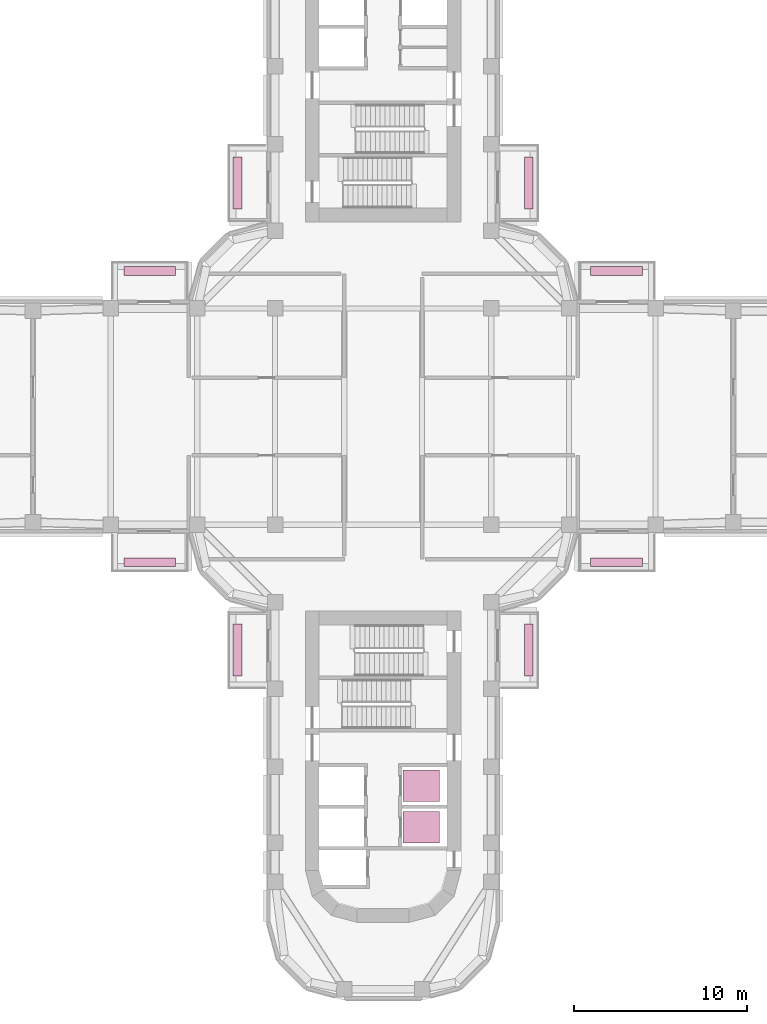
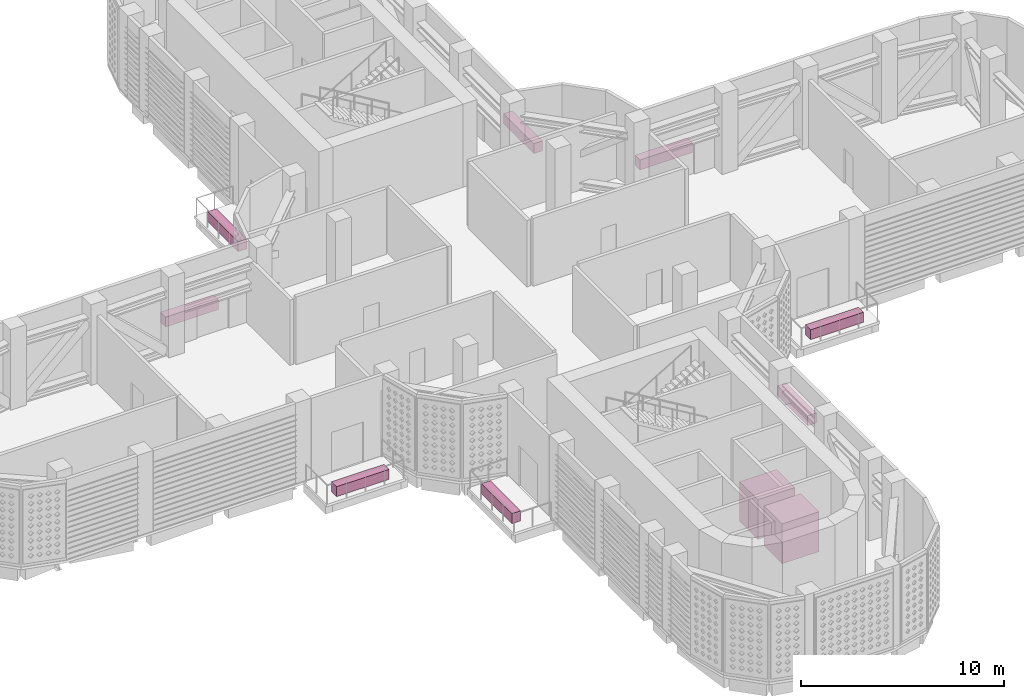
# One storey, part 20 of 20: 8 furniture elements, 2 transport elements.
"""IFC4 building model written with IfcOpenShell, lengths in metres."""

from ifc_helpers import new_model, si_unit, direction, frame, origin, origin_2d, place, context, subcontext, project, spatial, rectangle, extrude, material, type_object, element, save


model = new_model("IFC4")

# Units and contexts
model_context = context("Model", 3, precision=1e-05, world=origin(), true_north=direction((0.0, 1.0)))
body_context = subcontext(model_context, "Body", "Model", "MODEL_VIEW")
ifc_project = project(units=[si_unit("LENGTHUNIT", "METRE"), si_unit("AREAUNIT", "SQUARE_METRE"), si_unit("VOLUMEUNIT", "CUBIC_METRE"), si_unit("PLANEANGLEUNIT", "RADIAN"), si_unit("MASSUNIT", "GRAM", prefix="KILO")], contexts=[model_context])

# Site, building, storey
site_placement = place(None, origin())
site = spatial("IfcSite", under=ifc_project, at=site_placement, CompositionType="ELEMENT")
building_placement = place(site_placement, origin())
building = spatial("IfcBuilding", under=site, at=building_placement, Name="Zarbagh Exchange Tower", CompositionType="ELEMENT")
storey_placement = place(building_placement, frame((0.0, 0.0, 136.0)))
storey = spatial("IfcBuildingStorey", under=building, at=storey_placement, Name="L32", CompositionType="ELEMENT", Elevation=136.0)

# Furniture
ifc_material_1 = material(Name="Concrete C40/50", Category="concrete")
furniture_type = type_object("IfcFurnitureType", Name="PLANTER planting bed, concrete trough", AssemblyPlace="NOTDEFINED", PredefinedType="USERDEFINED", material=ifc_material_1)
for number, where, z_axis, x_axis, name in (
    (1, (8.419921875, 13.5, 0.0), (0.0, 0.0, 1.0), (0.0, -1.0, 0.0), "planter"),
    (2, (13.5, 8.419921875, 0.0), (0.0, 0.0, 1.0), (1.0, 0.0, 0.0), "planter"),
    (3, (8.419921875, -13.5, 0.0), (0.0, 0.0, 1.0), (0.0, -1.0, 0.0), "planter"),
    (4, (13.5, -8.419921875, 0.0), (0.0, 0.0, 1.0), (-1.0, 0.0, 0.0), "planter"),
    (5, (-8.419921875, 13.5, 0.0), (0.0, 0.0, 1.0), (0.0, 1.0, 0.0), "planter"),
    (6, (-13.5, 8.419921875, 0.0), (0.0, 0.0, 1.0), (1.0, 0.0, 0.0), "planter"),
    (7, (-8.419921875, -13.5, 0.0), (0.0, 0.0, 1.0), (0.0, 1.0, 0.0), "planter"),
    (8, (-13.5, -8.419921875, 0.0), (0.0, 0.0, 1.0), (-1.0, 0.0, 0.0), "planter"),
):
    element("IfcFurniture", number, at=place(storey_placement, frame(where, z_axis=z_axis, x_axis=x_axis)), inside=storey, type_object=furniture_type, Name=name, ObjectType="PLANTER", PredefinedType="USERDEFINED", context=body_context, shape_type="SweptSolid", body=[
        extrude(rectangle(XDim=3.0, YDim=0.5, at=origin_2d()), origin(), (0.0, 0.0, 1.0), 0.60009765625),
    ])

# Transport elements
ifc_material_2 = material(Name="Stainless steel", Category="steel")
transport_element_type = type_object("IfcTransportElementType", Name="Passenger lift car 1800 kg", PredefinedType="ELEVATOR", material=ifc_material_2)
for number, where, z_axis, x_axis, name in (
    (9, (2.199951171875, -23.75, 0.0), (0.0, 0.0, 1.0), (1.0, 0.0, 0.0), "Passenger lift P-S1 (high-rise)"),
    (10, (2.199951171875, -21.35009765625, 0.0), (0.0, 0.0, 1.0), (1.0, 0.0, 0.0), "Passenger lift P-S2 (high-rise)"),
):
    element("IfcTransportElement", number, at=place(storey_placement, frame(where, z_axis=z_axis, x_axis=x_axis)), inside=storey, type_object=transport_element_type, Name=name, PredefinedType="ELEVATOR", context=body_context, shape_type="SweptSolid", body=[
        extrude(rectangle(XDim=2.10009765625, YDim=1.800048828125, at=origin_2d()), origin(), (0.0, 0.0, 1.0), 2.39990234375),
    ])

save(model, "model.ifc")
